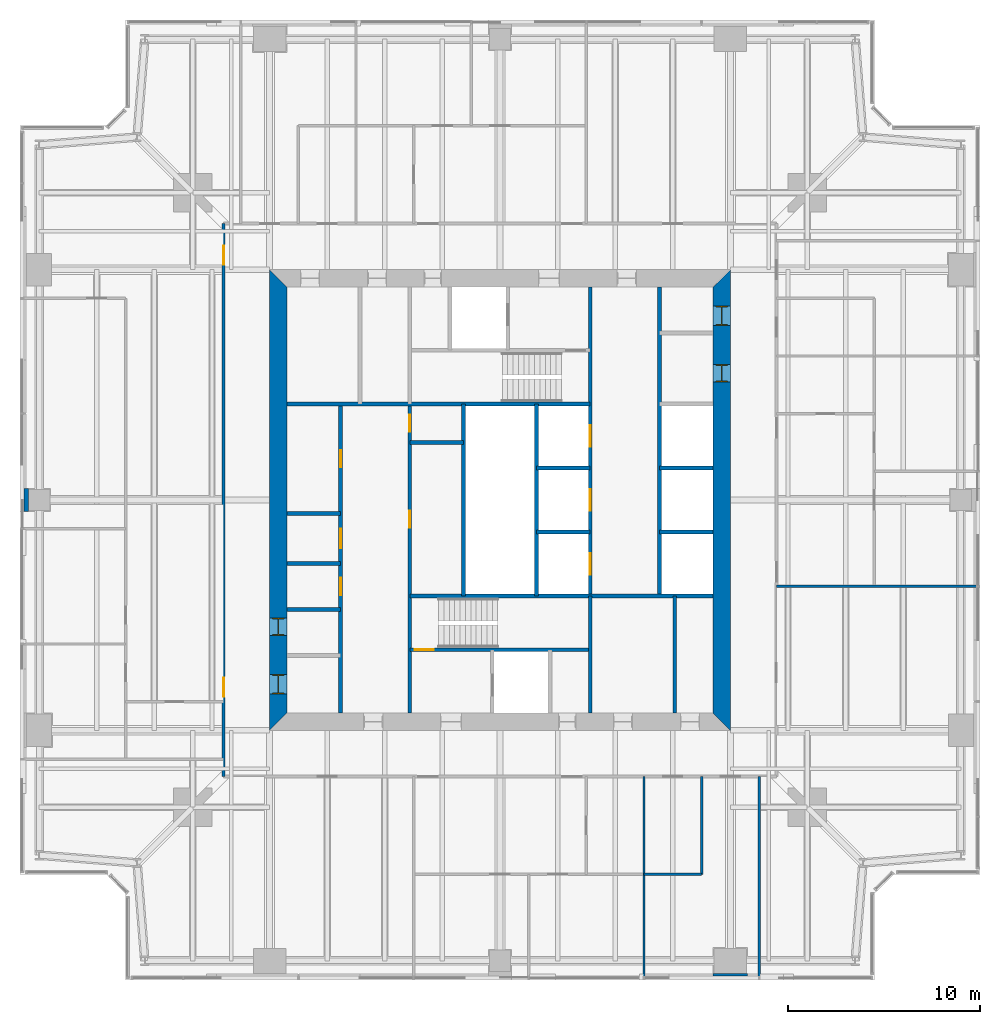
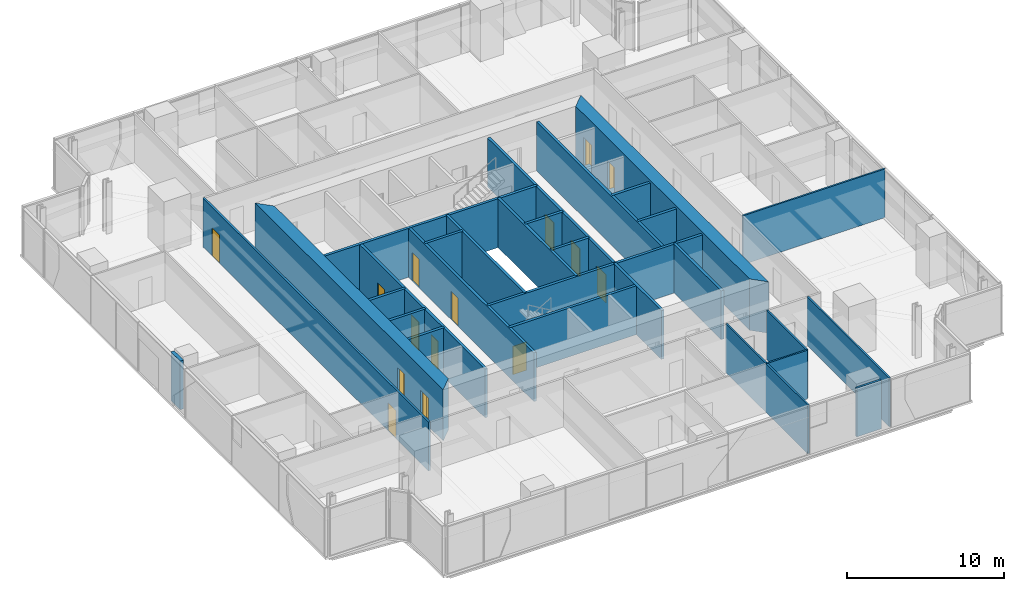
# One storey, part 10 of 15: 29 walls, 15 doors, 15 openings.
"""IFC4 building model written with IfcOpenShell, lengths in metres."""

from ifc_helpers import new_model, si_unit, direction, frame, frame_2d, origin, place, context, subcontext, project, spatial, polyline, rectangle, outline, extrude, material, layer, layer_set, type_object, element, fill, save


model = new_model("IFC4")

# Units and contexts
model_context = context("Model", 3, precision=1e-05, world=origin(), true_north=direction((0.0, 1.0)))
body_context = subcontext(model_context, "Body", "Model", "MODEL_VIEW")
ifc_project = project(units=[si_unit("LENGTHUNIT", "METRE"), si_unit("AREAUNIT", "SQUARE_METRE"), si_unit("VOLUMEUNIT", "CUBIC_METRE"), si_unit("PLANEANGLEUNIT", "RADIAN"), si_unit("MASSUNIT", "GRAM", prefix="KILO")], contexts=[model_context])

# Site, building, storey
site_placement = place(None, origin())
site = spatial("IfcSite", under=ifc_project, at=site_placement, CompositionType="ELEMENT")
building_placement = place(site_placement, origin())
building = spatial("IfcBuilding", under=site, at=building_placement, Name="Fenwick Lantern Interchange", CompositionType="ELEMENT")
storey_placement = place(building_placement, frame((0.0, 0.0, 229.800048828125)))
storey = spatial("IfcBuildingStorey", under=building, at=storey_placement, Name="L54", CompositionType="ELEMENT", Elevation=229.800048828125)

# Walls
ifc_material_1 = material(Name="Fire-rated gypsum board encasement on steel studs, 2 hour", Category="steel")
ifc_layer_1 = layer(ifc_material_1, 1.199951171875)
ifc_layer_set_1 = layer_set([ifc_layer_1], Name="COLUMN PIER 1200")
wall_type_1 = type_object("IfcWallType", Name="COLUMN PIER 1200", PredefinedType="PARTITIONING", material=ifc_layer_set_1)
wall_1_placement = place(storey_placement, frame((0.199951171875, 25.0, 0.0), z_axis=(0.0, 0.0, 1.0), x_axis=(1.0, 0.0, 0.0)))
element("IfcWall", 1, at=wall_1_placement, inside=storey, type_object=wall_type_1, Name="L54/W/PIER/CW3", PredefinedType="PARTITIONING", context=body_context, shape_type="SweptSolid", body=[
    extrude(rectangle(XDim=0.25, YDim=1.199951171875, at=frame_2d((0.125, 0.0))), origin(), (0.0, 0.0, 1.0), 3.800048828125),
])
ifc_layer_2 = layer(ifc_material_1, 1.800048828125)
ifc_layer_set_2 = layer_set([ifc_layer_2], Name="COLUMN PIER 1800")
wall_type_2 = type_object("IfcWallType", Name="COLUMN PIER 1800", PredefinedType="PARTITIONING", material=ifc_layer_set_2)
wall_2_placement = place(storey_placement, frame((37.0, 0.199951171875, 0.0), z_axis=(0.0, 0.0, 1.0), x_axis=(0.0, 1.0, 0.0)))
element("IfcWall", 2, at=wall_2_placement, inside=storey, type_object=wall_type_2, Name="L54/W/PIER/CS4", PredefinedType="PARTITIONING", context=body_context, shape_type="SweptSolid", body=[
    extrude(rectangle(XDim=0.150146484375, YDim=1.800048828125, at=frame_2d((0.0751953125, 0.0))), origin(), (0.0, 0.0, 1.0), 3.800048828125),
])

# Wall, openings, doors
ifc_material_2 = material(Name="Concrete masonry ASTM C90 Grade N", Category="masonry")
ifc_layer_3 = layer(ifc_material_2, 0.199951171875)
ifc_layer_set_3 = layer_set([ifc_layer_3], Name="Concrete masonry ASTM C90 Grade N")
wall_type_3 = type_object("IfcWallType", Name="CORE PARTITION 200", PredefinedType="PARTITIONING", material=ifc_layer_set_3)
wall_3_placement = place(storey_placement, frame((16.699951171875, 13.89990234375, 0.0), z_axis=(0.0, 0.0, 1.0), x_axis=(0.0, 1.0, 0.0)))
wall_3 = element("IfcWall", 3, at=wall_3_placement, inside=storey, type_object=wall_type_3, Name="L54/W/CORES/a", PredefinedType="PARTITIONING", context=body_context, shape_type="SweptSolid", body=[
    extrude(rectangle(XDim=16.10009765625, YDim=0.199951171875, at=frame_2d((8.050048828125, 0.0))), origin(), (0.0, 0.0, 1.0), 3.800048828125),
])
opening_1_placement = place(wall_3_placement, frame((6.14990234375, 0.0, 0.0)))
opening_1 = element("IfcOpeningElement", 4, at=opening_1_placement, cuts=wall_3, Name="Opening L54-D009", PredefinedType="OPENING", context=body_context, shape_type="SweptSolid", body=[
    extrude(rectangle(XDim=0.89990234375, YDim=2.199951171875, at=frame_2d((0.449951171875, 1.10009765625))), frame((0.0, 0.10986328125, 0.0), z_axis=(0.0, -1.0, 0.0), x_axis=(1.0, 0.0, 0.0)), (0.0, 0.0, 1.0), 0.219970703125),
])
opening_2_placement = place(wall_3_placement, frame((8.60009765625, 0.0, 0.0)))
opening_2 = element("IfcOpeningElement", 5, at=opening_2_placement, cuts=wall_3, Name="Opening L54-D010", PredefinedType="OPENING", context=body_context, shape_type="SweptSolid", body=[
    extrude(rectangle(XDim=1.0, YDim=2.199951171875, at=frame_2d((0.5, 1.10009765625))), frame((0.0, 0.10986328125, 0.0), z_axis=(0.0, -1.0, 0.0), x_axis=(1.0, 0.0, 0.0)), (0.0, 0.0, 1.0), 0.219970703125),
])
opening_3_placement = place(wall_3_placement, frame((12.800048828125, 0.0, 0.0)))
opening_3 = element("IfcOpeningElement", 6, at=opening_3_placement, cuts=wall_3, Name="Opening L54-D011", PredefinedType="OPENING", context=body_context, shape_type="SweptSolid", body=[
    extrude(rectangle(XDim=0.89990234375, YDim=2.199951171875, at=frame_2d((0.449951171875, 1.10009765625))), frame((0.0, 0.10986328125, 0.0), z_axis=(0.0, -1.0, 0.0), x_axis=(1.0, 0.0, 0.0)), (0.0, 0.0, 1.0), 0.219970703125),
])
ifc_material_3 = material(Name="Steel door and frame", Category="steel")
door_type_1 = type_object("IfcDoorType", Name="SERVICE DOOR 900 X 2200", OperationType="SINGLE_SWING_LEFT", PredefinedType="DOOR", material=ifc_material_3)
door_1_placement = place(opening_1_placement, origin())
door_1 = element("IfcDoor", 7, at=door_1_placement, inside=storey, type_object=door_type_1, Name="Service door", OperationType="SINGLE_SWING_LEFT", OverallHeight=2.199951171875, OverallWidth=0.89990234375, PredefinedType="DOOR", context=body_context, shape_type="SweptSolid", body=[
    extrude(rectangle(XDim=0.89990234375, YDim=2.199951171875, at=frame_2d((0.449951171875, 1.10009765625))), frame((0.0, 0.02490234375, 0.0), z_axis=(0.0, -1.0, 0.0), x_axis=(1.0, 0.0, 0.0)), (0.0, 0.0, 1.0), 0.050048828125),
])
fill(opening_1, door_1)
door_2_placement = place(opening_3_placement, origin())
door_2 = element("IfcDoor", 8, at=door_2_placement, inside=storey, type_object=door_type_1, Name="Service door", OperationType="SINGLE_SWING_LEFT", OverallHeight=2.199951171875, OverallWidth=0.89990234375, PredefinedType="DOOR", context=body_context, shape_type="SweptSolid", body=[
    extrude(rectangle(XDim=0.89990234375, YDim=2.199951171875, at=frame_2d((0.449951171875, 1.10009765625))), frame((0.0, 0.02490234375, 0.0), z_axis=(0.0, -1.0, 0.0), x_axis=(1.0, 0.0, 0.0)), (0.0, 0.0, 1.0), 0.050048828125),
])
fill(opening_3, door_2)
ifc_material_4 = material(Name="Hardwood door and steel frame", Category="steel")
door_type_2 = type_object("IfcDoorType", Name="WC DOOR 1000 X 2200", OperationType="SINGLE_SWING_LEFT", PredefinedType="DOOR", material=ifc_material_4)
door_3_placement = place(opening_2_placement, origin())
door_3 = element("IfcDoor", 9, at=door_3_placement, inside=storey, type_object=door_type_2, Name="Wc door", OperationType="SINGLE_SWING_LEFT", OverallHeight=2.199951171875, OverallWidth=1.0, PredefinedType="DOOR", context=body_context, shape_type="SweptSolid", body=[
    extrude(rectangle(XDim=1.0, YDim=2.199951171875, at=frame_2d((0.5, 1.10009765625))), frame((0.0, 0.02490234375, 0.0), z_axis=(0.0, -1.0, 0.0), x_axis=(1.0, 0.0, 0.0)), (0.0, 0.0, 1.0), 0.050048828125),
])
fill(opening_2, door_3)

# Walls
wall_4_placement = place(storey_placement, frame((23.10009765625, 20.0, 0.0), z_axis=(0.0, 0.0, 1.0), x_axis=(0.0, 1.0, 0.0)))
element("IfcWall", 10, at=wall_4_placement, inside=storey, type_object=wall_type_3, Name="L54/W/CORES/e3", PredefinedType="PARTITIONING", context=body_context, shape_type="SweptSolid", body=[
    extrude(rectangle(XDim=10.0, YDim=0.199951171875, at=frame_2d((5.0, 0.0))), origin(), (0.0, 0.0, 1.0), 3.800048828125),
])
wall_5_placement = place(storey_placement, frame((34.10009765625, 13.89990234375, 0.0), z_axis=(0.0, 0.0, 1.0), x_axis=(0.0, 1.0, 0.0)))
element("IfcWall", 11, at=wall_5_placement, inside=storey, type_object=wall_type_3, Name="L54/W/CORES/i2", PredefinedType="PARTITIONING", context=body_context, shape_type="SweptSolid", body=[
    extrude(rectangle(XDim=6.10009765625, YDim=0.199951171875, at=frame_2d((3.050048828125, 0.0))), origin(), (0.0, 0.0, 1.0), 3.800048828125),
])
for number, where, z_axis, x_axis, name in (
    (12, (13.89990234375, 19.300048828125, 0.0), (0.0, 0.0, 1.0), (1.0, 0.0, 0.0), "L54/W/CORES/p2"),
    (13, (13.89990234375, 21.699951171875, 0.0), (0.0, 0.0, 1.0), (1.0, 0.0, 0.0), "L54/W/CORES/p3"),
    (14, (13.89990234375, 24.300048828125, 0.0), (0.0, 0.0, 1.0), (1.0, 0.0, 0.0), "L54/W/CORES/p4"),
    (15, (20.300048828125, 28.0, 0.0), (0.0, 0.0, 1.0), (1.0, 0.0, 0.0), "L54/W/CORES/q1"),
):
    element("IfcWall", number, at=place(storey_placement, frame(where, z_axis=z_axis, x_axis=x_axis)), inside=storey, type_object=wall_type_3, Name=name, PredefinedType="PARTITIONING", context=body_context, shape_type="SweptSolid", body=[
        extrude(rectangle(XDim=2.800048828125, YDim=0.199951171875, at=frame_2d((1.39990234375, 0.0))), origin(), (0.0, 0.0, 1.0), 3.800048828125),
    ])
wall_6_placement = place(storey_placement, frame((33.300048828125, 36.10009765625, 0.0), z_axis=(0.0, 0.0, 1.0), x_axis=(0.0, -1.0, 0.0)))
element("IfcWall", 16, at=wall_6_placement, inside=storey, type_object=wall_type_3, Name="L54/W/COREN/a", PredefinedType="PARTITIONING", context=body_context, shape_type="SweptSolid", body=[
    extrude(rectangle(XDim=16.10009765625, YDim=0.199951171875, at=frame_2d((8.050048828125, 0.0))), origin(), (0.0, 0.0, 1.0), 3.800048828125),
])
for number, where, z_axis, x_axis, name in (
    (17, (36.10009765625, 26.666748046875, 0.0), (0.0, 0.0, 1.0), (-1.0, 0.0, 0.0), "L54/W/COREN/d1"),
    (18, (36.10009765625, 23.333251953125, 0.0), (0.0, 0.0, 1.0), (-1.0, 0.0, 0.0), "L54/W/COREN/d2"),
    (19, (29.699951171875, 26.666748046875, 0.0), (0.0, 0.0, 1.0), (-1.0, 0.0, 0.0), "L54/W/COREN/e1"),
    (20, (29.699951171875, 23.333251953125, 0.0), (0.0, 0.0, 1.0), (-1.0, 0.0, 0.0), "L54/W/COREN/e2"),
):
    element("IfcWall", number, at=place(storey_placement, frame(where, z_axis=z_axis, x_axis=x_axis)), inside=storey, type_object=wall_type_3, Name=name, PredefinedType="PARTITIONING", context=body_context, shape_type="SweptSolid", body=[
        extrude(rectangle(XDim=2.800048828125, YDim=0.199951171875, at=frame_2d((1.39990234375, 0.0))), origin(), (0.0, 0.0, 1.0), 3.800048828125),
    ])
wall_7_placement = place(storey_placement, frame((26.89990234375, 30.0, 0.0), z_axis=(0.0, 0.0, 1.0), x_axis=(0.0, -1.0, 0.0)))
element("IfcWall", 21, at=wall_7_placement, inside=storey, type_object=wall_type_3, Name="L54/W/COREN/e3", PredefinedType="PARTITIONING", context=body_context, shape_type="SweptSolid", body=[
    extrude(rectangle(XDim=10.0, YDim=0.199951171875, at=frame_2d((5.0, 0.0))), origin(), (0.0, 0.0, 1.0), 3.800048828125),
])

# Wall, openings, doors
ifc_material_5 = material(Name="Concrete f'c 70 MPa", Category="concrete")
ifc_layer_4 = layer(ifc_material_5, 0.89990234375)
ifc_layer_set_4 = layer_set([ifc_layer_4], Name="CORE WALL 900")
wall_type_4 = type_object("IfcWallType", Name="CORE WALL 900", PredefinedType="SHEAR", material=ifc_layer_set_4)
wall_8_placement = place(storey_placement, frame((36.550048828125, 13.89990234375, 0.0), z_axis=(0.0, 0.0, 1.0), x_axis=(0.0, 1.0, 0.0)))
wall_8 = element("IfcWall", 22, at=wall_8_placement, inside=storey, type_object=wall_type_4, Name="L54/CORE/E", PredefinedType="SHEAR", context=body_context, shape_type="SweptSolid", body=[
    extrude(outline(polyline([(-0.89990234375, -0.449951171875), (23.10009765625, -0.449951171875), (22.199951171875, 0.449951171875), (0.0, 0.449951171875), (-0.89990234375, -0.449951171875)])), origin(), (0.0, 0.0, 1.0), 4.0),
])
opening_4_placement = place(wall_8_placement, frame((20.199951171875, 0.0, 0.0)))
opening_4 = element("IfcOpeningElement", 23, at=opening_4_placement, cuts=wall_8, Name="Opening L54-D020", PredefinedType="OPENING", context=body_context, shape_type="SweptSolid", body=[
    extrude(rectangle(XDim=1.0, YDim=2.199951171875, at=frame_2d((0.5, 1.10009765625))), frame((0.0, 0.4599609375, 0.0), z_axis=(0.0, -1.0, 0.0), x_axis=(1.0, 0.0, 0.0)), (0.0, 0.0, 1.0), 0.919921875),
])
opening_5_placement = place(wall_8_placement, frame((17.25, 0.0, 0.0)))
opening_5 = element("IfcOpeningElement", 24, at=opening_5_placement, cuts=wall_8, Name="Opening L54-D021", PredefinedType="OPENING", context=body_context, shape_type="SweptSolid", body=[
    extrude(rectangle(XDim=0.89990234375, YDim=2.199951171875, at=frame_2d((0.449951171875, 1.10009765625))), frame((0.0, 0.4599609375, 0.0), z_axis=(0.0, -1.0, 0.0), x_axis=(1.0, 0.0, 0.0)), (0.0, 0.0, 1.0), 0.919921875),
])
door_type_3 = type_object("IfcDoorType", Name="SERVICE DOOR 1000 X 2200", OperationType="SINGLE_SWING_LEFT", PredefinedType="DOOR", material=ifc_material_3)
door_4_placement = place(opening_4_placement, origin())
door_4 = element("IfcDoor", 25, at=door_4_placement, inside=storey, type_object=door_type_3, Name="Service door", OperationType="SINGLE_SWING_LEFT", OverallHeight=2.199951171875, OverallWidth=1.0, PredefinedType="DOOR", context=body_context, shape_type="SweptSolid", body=[
    extrude(rectangle(XDim=1.0, YDim=2.199951171875, at=frame_2d((0.5, 1.10009765625))), frame((0.0, 0.02490234375, 0.0), z_axis=(0.0, -1.0, 0.0), x_axis=(1.0, 0.0, 0.0)), (0.0, 0.0, 1.0), 0.050048828125),
    extrude(outline(polyline([(0.0, 0.0), (0.0400390625, 0.0), (0.0400390625, 2.159912109375), (0.9599609375, 2.159912109375), (0.9599609375, 0.0), (1.0, 0.0), (1.0, 2.199951171875), (0.0, 2.199951171875), (0.0, 0.0)])), frame((0.0, 0.300048828125, 0.0), z_axis=(0.0, -1.0, 0.0), x_axis=(1.0, 0.0, 0.0)), (0.0, 0.0, 1.0), 0.60009765625),
])
fill(opening_4, door_4)
door_5_placement = place(opening_5_placement, origin())
door_5 = element("IfcDoor", 26, at=door_5_placement, inside=storey, type_object=door_type_1, Name="Service door", OperationType="SINGLE_SWING_LEFT", OverallHeight=2.199951171875, OverallWidth=0.89990234375, PredefinedType="DOOR", context=body_context, shape_type="SweptSolid", body=[
    extrude(rectangle(XDim=0.89990234375, YDim=2.199951171875, at=frame_2d((0.449951171875, 1.10009765625))), frame((0.0, 0.02490234375, 0.0), z_axis=(0.0, -1.0, 0.0), x_axis=(1.0, 0.0, 0.0)), (0.0, 0.0, 1.0), 0.050048828125),
    extrude(outline(polyline([(0.0, 0.0), (0.0400390625, 0.0), (0.0400390625, 2.159912109375), (0.85986328125, 2.159912109375), (0.85986328125, 0.0), (0.89990234375, 0.0), (0.89990234375, 2.199951171875), (0.0, 2.199951171875), (0.0, 0.0)])), frame((0.0, 0.300048828125, 0.0), z_axis=(0.0, -1.0, 0.0), x_axis=(1.0, 0.0, 0.0)), (0.0, 0.0, 1.0), 0.60009765625),
])
fill(opening_5, door_5)

wall_9_placement = place(storey_placement, frame((13.449951171875, 36.10009765625, 0.0), z_axis=(0.0, 0.0, 1.0), x_axis=(0.0, -1.0, 0.0)))
wall_9 = element("IfcWall", 27, at=wall_9_placement, inside=storey, type_object=wall_type_4, Name="L54/CORE/W", PredefinedType="SHEAR", context=body_context, shape_type="SweptSolid", body=[
    extrude(outline(polyline([(-0.89990234375, -0.449951171875), (23.10009765625, -0.449951171875), (22.199951171875, 0.449951171875), (0.0, 0.449951171875), (-0.89990234375, -0.449951171875)])), origin(), (0.0, 0.0, 1.0), 4.0),
])
opening_6_placement = place(wall_9_placement, frame((20.199951171875, 0.0, 0.0)))
opening_6 = element("IfcOpeningElement", 28, at=opening_6_placement, cuts=wall_9, Name="Opening L54-D007", PredefinedType="OPENING", context=body_context, shape_type="SweptSolid", body=[
    extrude(rectangle(XDim=1.0, YDim=2.199951171875, at=frame_2d((0.5, 1.10009765625))), frame((0.0, 0.4599609375, 0.0), z_axis=(0.0, -1.0, 0.0), x_axis=(1.0, 0.0, 0.0)), (0.0, 0.0, 1.0), 0.919921875),
])
opening_7_placement = place(wall_9_placement, frame((17.25, 0.0, 0.0)))
opening_7 = element("IfcOpeningElement", 29, at=opening_7_placement, cuts=wall_9, Name="Opening L54-D008", PredefinedType="OPENING", context=body_context, shape_type="SweptSolid", body=[
    extrude(rectangle(XDim=0.89990234375, YDim=2.199951171875, at=frame_2d((0.449951171875, 1.10009765625))), frame((0.0, 0.4599609375, 0.0), z_axis=(0.0, -1.0, 0.0), x_axis=(1.0, 0.0, 0.0)), (0.0, 0.0, 1.0), 0.919921875),
])
door_6_placement = place(opening_7_placement, origin())
door_6 = element("IfcDoor", 30, at=door_6_placement, inside=storey, type_object=door_type_1, Name="Service door", OperationType="SINGLE_SWING_LEFT", OverallHeight=2.199951171875, OverallWidth=0.89990234375, PredefinedType="DOOR", context=body_context, shape_type="SweptSolid", body=[
    extrude(rectangle(XDim=0.89990234375, YDim=2.199951171875, at=frame_2d((0.449951171875, 1.10009765625))), frame((0.0, 0.02490234375, 0.0), z_axis=(0.0, -1.0, 0.0), x_axis=(1.0, 0.0, 0.0)), (0.0, 0.0, 1.0), 0.050048828125),
    extrude(outline(polyline([(0.0, 0.0), (0.0400390625, 0.0), (0.0400390625, 2.159912109375), (0.85986328125, 2.159912109375), (0.85986328125, 0.0), (0.89990234375, 0.0), (0.89990234375, 2.199951171875), (0.0, 2.199951171875), (0.0, 0.0)])), frame((0.0, 0.300048828125, 0.0), z_axis=(0.0, -1.0, 0.0), x_axis=(1.0, 0.0, 0.0)), (0.0, 0.0, 1.0), 0.60009765625),
])
fill(opening_7, door_6)
door_7_placement = place(opening_6_placement, origin())
door_7 = element("IfcDoor", 31, at=door_7_placement, inside=storey, type_object=door_type_2, Name="Wc door", OperationType="SINGLE_SWING_LEFT", OverallHeight=2.199951171875, OverallWidth=1.0, PredefinedType="DOOR", context=body_context, shape_type="SweptSolid", body=[
    extrude(rectangle(XDim=1.0, YDim=2.199951171875, at=frame_2d((0.5, 1.10009765625))), frame((0.0, 0.02490234375, 0.0), z_axis=(0.0, -1.0, 0.0), x_axis=(1.0, 0.0, 0.0)), (0.0, 0.0, 1.0), 0.050048828125),
    extrude(outline(polyline([(0.0, 0.0), (0.0400390625, 0.0), (0.0400390625, 2.159912109375), (0.9599609375, 2.159912109375), (0.9599609375, 0.0), (1.0, 0.0), (1.0, 2.199951171875), (0.0, 2.199951171875), (0.0, 0.0)])), frame((0.0, 0.300048828125, 0.0), z_axis=(0.0, -1.0, 0.0), x_axis=(1.0, 0.0, 0.0)), (0.0, 0.0, 1.0), 0.60009765625),
])
fill(opening_6, door_7)

ifc_material_6 = material(Name="Gypsum board on steel studs, 1 hour", Category="steel")
ifc_layer_5 = layer(ifc_material_6, 0.14990234375)
ifc_layer_set_5 = layer_set([ifc_layer_5], Name="CORRIDOR WALL 150")
wall_type_5 = type_object("IfcWallType", Name="CORRIDOR WALL 150", PredefinedType="PARTITIONING", material=ifc_layer_set_5)
wall_10_placement = place(storey_placement, frame((10.60009765625, 39.39990234375, 0.0), z_axis=(0.0, 0.0, 1.0), x_axis=(0.0, -1.0, 0.0)))
wall_10 = element("IfcWall", 32, at=wall_10_placement, inside=storey, type_object=wall_type_5, Name="L54/W/OFF/W/CW2", PredefinedType="PARTITIONING", context=body_context, shape_type="SweptSolid", body=[
    extrude(rectangle(XDim=28.7998046875, YDim=0.14990234375, at=frame_2d((14.39990234375, 0.0))), origin(), (0.0, 0.0, 1.0), 3.800048828125),
])
opening_8_placement = place(wall_10_placement, frame((1.14990234375, 0.0, 0.0)))
opening_8 = element("IfcOpeningElement", 33, at=opening_8_placement, cuts=wall_10, Name="Opening L54-D046", PredefinedType="OPENING", context=body_context, shape_type="SweptSolid", body=[
    extrude(rectangle(XDim=1.0, YDim=2.199951171875, at=frame_2d((0.5, 1.10009765625))), frame((0.0, 0.0849609375, 0.0), z_axis=(0.0, -1.0, 0.0), x_axis=(1.0, 0.0, 0.0)), (0.0, 0.0, 1.0), 0.169921875),
])
opening_9_placement = place(wall_10_placement, frame((23.64990234375, 0.0, 0.0)))
opening_9 = element("IfcOpeningElement", 34, at=opening_9_placement, cuts=wall_10, Name="Opening L54-D047", PredefinedType="OPENING", context=body_context, shape_type="SweptSolid", body=[
    extrude(rectangle(XDim=1.0, YDim=2.199951171875, at=frame_2d((0.5, 1.10009765625))), frame((0.0, 0.0849609375, 0.0), z_axis=(0.0, -1.0, 0.0), x_axis=(1.0, 0.0, 0.0)), (0.0, 0.0, 1.0), 0.169921875),
])
door_type_4 = type_object("IfcDoorType", Name="SUITE ENTRANCE DOOR 1000 X 2200", OperationType="SINGLE_SWING_LEFT", PredefinedType="DOOR", material=ifc_material_3)
door_8_placement = place(opening_8_placement, origin())
door_8 = element("IfcDoor", 35, at=door_8_placement, inside=storey, type_object=door_type_4, Name="Suite entrance door", OperationType="SINGLE_SWING_LEFT", OverallHeight=2.199951171875, OverallWidth=1.0, PredefinedType="DOOR", context=body_context, shape_type="SweptSolid", body=[
    extrude(rectangle(XDim=1.0, YDim=2.199951171875, at=frame_2d((0.5, 1.10009765625))), frame((0.0, 0.02490234375, 0.0), z_axis=(0.0, -1.0, 0.0), x_axis=(1.0, 0.0, 0.0)), (0.0, 0.0, 1.0), 0.050048828125),
])
fill(opening_8, door_8)
door_9_placement = place(opening_9_placement, origin())
door_9 = element("IfcDoor", 36, at=door_9_placement, inside=storey, type_object=door_type_4, Name="Suite entrance door", OperationType="SINGLE_SWING_RIGHT", OverallHeight=2.199951171875, OverallWidth=1.0, PredefinedType="DOOR", context=body_context, shape_type="SweptSolid", body=[
    extrude(rectangle(XDim=1.0, YDim=2.199951171875, at=frame_2d((0.5, 1.10009765625))), frame((0.0, 0.02490234375, 0.0), z_axis=(0.0, -1.0, 0.0), x_axis=(1.0, 0.0, 0.0)), (0.0, 0.0, 1.0), 0.050048828125),
])
fill(opening_9, door_9)

# Walls
ifc_material_7 = material(Name="Gypsum board on steel studs, acoustic", Category="steel")
ifc_layer_6 = layer(ifc_material_7, 0.125)
ifc_layer_set_6 = layer_set([ifc_layer_6], Name="OFFICE PARTITION 125")
wall_type_6 = type_object("IfcWallType", Name="OFFICE PARTITION 125", PredefinedType="PARTITIONING", material=ifc_layer_set_6)
wall_11_placement = place(storey_placement, frame((32.5, 0.14990234375, 0.0), z_axis=(0.0, 0.0, 1.0), x_axis=(0.0, 1.0, 0.0)))
element("IfcWall", 37, at=wall_11_placement, inside=storey, type_object=wall_type_6, Name="L54/W/OFF/S/X325-1", PredefinedType="PARTITIONING", context=body_context, shape_type="SweptSolid", body=[
    extrude(rectangle(XDim=10.4501953125, YDim=0.125, at=frame_2d((5.22509765625, 0.0))), origin(), (0.0, 0.0, 1.0), 3.800048828125),
])
wall_12_placement = place(storey_placement, frame((35.5, 5.5, 0.0), z_axis=(0.0, 0.0, 1.0), x_axis=(0.0, 1.0, 0.0)))
element("IfcWall", 38, at=wall_12_placement, inside=storey, type_object=wall_type_6, Name="L54/W/OFF/S/X355-1", PredefinedType="PARTITIONING", context=body_context, shape_type="SweptSolid", body=[
    extrude(rectangle(XDim=5.10009765625, YDim=0.125, at=frame_2d((2.550048828125, 0.0))), origin(), (0.0, 0.0, 1.0), 3.800048828125),
])
wall_13_placement = place(storey_placement, frame((32.5, 5.5, 0.0), z_axis=(0.0, 0.0, 1.0), x_axis=(1.0, 0.0, 0.0)))
element("IfcWall", 39, at=wall_13_placement, inside=storey, type_object=wall_type_6, Name="L54/W/OFF/S/Y55-2", PredefinedType="PARTITIONING", context=body_context, shape_type="SweptSolid", body=[
    extrude(rectangle(XDim=3.0, YDim=0.125, at=frame_2d((1.5, 0.0))), origin(), (0.0, 0.0, 1.0), 3.800048828125),
])
for number, where, z_axis, x_axis, name in (
    (40, (38.5, 0.14990234375, 0.0), (0.0, 0.0, 1.0), (0.0, 1.0, 0.0), "L54/W/OFF/E/BACK"),
    (41, (49.85009765625, 20.5, 0.0), (0.0, 0.0, 1.0), (-1.0, 0.0, 0.0), "L54/W/OFF/E/X205-1"),
):
    element("IfcWall", number, at=place(storey_placement, frame(where, z_axis=z_axis, x_axis=x_axis)), inside=storey, type_object=wall_type_6, Name=name, PredefinedType="PARTITIONING", context=body_context, shape_type="SweptSolid", body=[
        extrude(rectangle(XDim=10.4501953125, YDim=0.125, at=frame_2d((5.22509765625, 0.0))), origin(), (0.0, 0.0, 1.0), 3.800048828125),
    ])

# Wall, openings, doors
ifc_material_8 = material(Name="Concrete f'c 45 MPa", Category="concrete")
ifc_layer_7 = layer(ifc_material_8, 0.199951171875)
ifc_layer_set_7 = layer_set([ifc_layer_7], Name="STAIR CORE WALL 200")
wall_type_7 = type_object("IfcWallType", Name="STAIR CORE WALL 200", PredefinedType="SOLIDWALL", material=ifc_layer_set_7)
wall_14_placement = place(storey_placement, frame((20.300048828125, 13.89990234375, 0.0), z_axis=(0.0, 0.0, 1.0), x_axis=(0.0, 1.0, 0.0)))
wall_14 = element("IfcWall", 42, at=wall_14_placement, inside=storey, type_object=wall_type_7, Name="L54/W/CORES/b", PredefinedType="SOLIDWALL", context=body_context, shape_type="SweptSolid", body=[
    extrude(rectangle(XDim=16.10009765625, YDim=0.199951171875, at=frame_2d((8.050048828125, 0.0))), origin(), (0.0, 0.0, 1.0), 3.800048828125),
])
opening_10_placement = place(wall_14_placement, frame((9.64990234375, 0.0, 0.0)))
opening_10 = element("IfcOpeningElement", 43, at=opening_10_placement, cuts=wall_14, Name="Opening L54-D012", PredefinedType="OPENING", context=body_context, shape_type="SweptSolid", body=[
    extrude(rectangle(XDim=0.89990234375, YDim=2.199951171875, at=frame_2d((0.449951171875, 1.10009765625))), frame((0.0, 0.10986328125, 0.0), z_axis=(0.0, -1.0, 0.0), x_axis=(1.0, 0.0, 0.0)), (0.0, 0.0, 1.0), 0.219970703125),
])
opening_11_placement = place(wall_14_placement, frame((14.64990234375, 0.0, 0.0)))
opening_11 = element("IfcOpeningElement", 44, at=opening_11_placement, cuts=wall_14, Name="Opening L54-D013", PredefinedType="OPENING", context=body_context, shape_type="SweptSolid", body=[
    extrude(rectangle(XDim=0.89990234375, YDim=2.199951171875, at=frame_2d((0.449951171875, 1.10009765625))), frame((0.0, 0.10986328125, 0.0), z_axis=(0.0, -1.0, 0.0), x_axis=(1.0, 0.0, 0.0)), (0.0, 0.0, 1.0), 0.219970703125),
])
door_10_placement = place(opening_10_placement, frame((0.89990234375, 0.0, 0.0), z_axis=(0.0, 0.0, 1.0), x_axis=(-1.0, 0.0, 0.0)))
door_10 = element("IfcDoor", 45, at=door_10_placement, inside=storey, type_object=door_type_1, Name="Service door", OperationType="SINGLE_SWING_RIGHT", OverallHeight=2.199951171875, OverallWidth=0.89990234375, PredefinedType="DOOR", context=body_context, shape_type="SweptSolid", body=[
    extrude(rectangle(XDim=0.89990234375, YDim=2.199951171875, at=frame_2d((0.449951171875, 1.10009765625))), frame((0.0, 0.02490234375, 0.0), z_axis=(0.0, -1.0, 0.0), x_axis=(1.0, 0.0, 0.0)), (0.0, 0.0, 1.0), 0.050048828125),
])
fill(opening_10, door_10)
door_11_placement = place(opening_11_placement, frame((0.89990234375, 0.0, 0.0), z_axis=(0.0, 0.0, 1.0), x_axis=(-1.0, 0.0, 0.0)))
door_11 = element("IfcDoor", 46, at=door_11_placement, inside=storey, type_object=door_type_1, Name="Service door", OperationType="SINGLE_SWING_RIGHT", OverallHeight=2.199951171875, OverallWidth=0.89990234375, PredefinedType="DOOR", context=body_context, shape_type="SweptSolid", body=[
    extrude(rectangle(XDim=0.89990234375, YDim=2.199951171875, at=frame_2d((0.449951171875, 1.10009765625))), frame((0.0, 0.02490234375, 0.0), z_axis=(0.0, -1.0, 0.0), x_axis=(1.0, 0.0, 0.0)), (0.0, 0.0, 1.0), 0.050048828125),
])
fill(opening_11, door_11)

# Wall, opening, door
wall_15_placement = place(storey_placement, frame((20.300048828125, 17.199951171875, 0.0), z_axis=(0.0, 0.0, 1.0), x_axis=(1.0, 0.0, 0.0)))
wall_15 = element("IfcWall", 47, at=wall_15_placement, inside=storey, type_object=wall_type_7, Name="L54/W/CORES/g1", PredefinedType="SOLIDWALL", context=body_context, shape_type="SweptSolid", body=[
    extrude(rectangle(XDim=9.39990234375, YDim=0.199951171875, at=frame_2d((4.699951171875, 0.0))), origin(), (0.0, 0.0, 1.0), 3.800048828125),
])
opening_12_placement = place(wall_15_placement, frame((0.25, 0.0, 0.0)))
opening_12 = element("IfcOpeningElement", 48, at=opening_12_placement, cuts=wall_15, Name="Opening L54-D003", PredefinedType="OPENING", context=body_context, shape_type="SweptSolid", body=[
    extrude(rectangle(XDim=1.0, YDim=2.199951171875, at=frame_2d((0.5, 1.10009765625))), frame((0.0, 0.10986328125, 0.0), z_axis=(0.0, -1.0, 0.0), x_axis=(1.0, 0.0, 0.0)), (0.0, 0.0, 1.0), 0.219970703125),
])
door_type_5 = type_object("IfcDoorType", Name="STAIR DOOR 1000 X 2200", OperationType="SINGLE_SWING_LEFT", PredefinedType="DOOR", material=ifc_material_3)
door_12_placement = place(opening_12_placement, origin())
door_12 = element("IfcDoor", 49, at=door_12_placement, inside=storey, type_object=door_type_5, Name="Stair door", OperationType="SINGLE_SWING_LEFT", OverallHeight=2.199951171875, OverallWidth=1.0, PredefinedType="DOOR", context=body_context, shape_type="SweptSolid", body=[
    extrude(rectangle(XDim=1.0, YDim=2.199951171875, at=frame_2d((0.5, 1.10009765625))), frame((0.0, 0.02490234375, 0.0), z_axis=(0.0, -1.0, 0.0), x_axis=(1.0, 0.0, 0.0)), (0.0, 0.0, 1.0), 0.050048828125),
])
fill(opening_12, door_12)

# Walls
wall_16_placement = place(storey_placement, frame((20.300048828125, 20.0, 0.0), z_axis=(0.0, 0.0, 1.0), x_axis=(1.0, 0.0, 0.0)))
element("IfcWall", 50, at=wall_16_placement, inside=storey, type_object=wall_type_7, Name="L54/W/CORES/g2", PredefinedType="SOLIDWALL", context=body_context, shape_type="SweptSolid", body=[
    extrude(rectangle(XDim=15.800048828125, YDim=0.199951171875, at=frame_2d((7.89990234375, 0.0))), origin(), (0.0, 0.0, 1.0), 3.800048828125),
])
wall_17_placement = place(storey_placement, frame((29.699951171875, 13.89990234375, 0.0), z_axis=(0.0, 0.0, 1.0), x_axis=(0.0, 1.0, 0.0)))
element("IfcWall", 51, at=wall_17_placement, inside=storey, type_object=wall_type_7, Name="L54/W/CORES/i1", PredefinedType="SOLIDWALL", context=body_context, shape_type="SweptSolid", body=[
    extrude(rectangle(XDim=6.10009765625, YDim=0.199951171875, at=frame_2d((3.050048828125, 0.0))), origin(), (0.0, 0.0, 1.0), 3.800048828125),
])

# Wall, openings, doors
wall_18_placement = place(storey_placement, frame((29.699951171875, 36.10009765625, 0.0), z_axis=(0.0, 0.0, 1.0), x_axis=(0.0, -1.0, 0.0)))
wall_18 = element("IfcWall", 52, at=wall_18_placement, inside=storey, type_object=wall_type_7, Name="L54/W/COREN/b", PredefinedType="SOLIDWALL", context=body_context, shape_type="SweptSolid", body=[
    extrude(rectangle(XDim=16.10009765625, YDim=0.199951171875, at=frame_2d((8.050048828125, 0.0))), origin(), (0.0, 0.0, 1.0), 3.800048828125),
])
opening_13_placement = place(wall_18_placement, frame((7.216552734375, 0.0, 0.0)))
opening_13 = element("IfcOpeningElement", 53, at=opening_13_placement, cuts=wall_18, Name="Opening LD-E2-1", PredefinedType="OPENING", context=body_context, shape_type="SweptSolid", body=[
    extrude(rectangle(XDim=1.10009765625, YDim=2.199951171875, at=frame_2d((0.550048828125, 1.10009765625))), frame((0.0, 0.10986328125, 0.0), z_axis=(0.0, -1.0, 0.0), x_axis=(1.0, 0.0, 0.0)), (0.0, 0.0, 1.0), 0.219970703125),
])
opening_14_placement = place(wall_18_placement, frame((10.550048828125, 0.0, 0.0)))
opening_14 = element("IfcOpeningElement", 54, at=opening_14_placement, cuts=wall_18, Name="Opening LD-E2-2", PredefinedType="OPENING", context=body_context, shape_type="SweptSolid", body=[
    extrude(rectangle(XDim=1.10009765625, YDim=2.199951171875, at=frame_2d((0.550048828125, 1.10009765625))), frame((0.0, 0.10986328125, 0.0), z_axis=(0.0, -1.0, 0.0), x_axis=(1.0, 0.0, 0.0)), (0.0, 0.0, 1.0), 0.219970703125),
])
opening_15_placement = place(wall_18_placement, frame((13.88330078125, 0.0, 0.0)))
opening_15 = element("IfcOpeningElement", 55, at=opening_15_placement, cuts=wall_18, Name="Opening LD-E2-3", PredefinedType="OPENING", context=body_context, shape_type="SweptSolid", body=[
    extrude(rectangle(XDim=1.10009765625, YDim=2.199951171875, at=frame_2d((0.550048828125, 1.10009765625))), frame((0.0, 0.10986328125, 0.0), z_axis=(0.0, -1.0, 0.0), x_axis=(1.0, 0.0, 0.0)), (0.0, 0.0, 1.0), 0.219970703125),
])
door_type_6 = type_object("IfcDoorType", Name="LIFT LANDING DOOR 1100 X 2200", OperationType="DOUBLE_DOOR_SLIDING", PredefinedType="DOOR", material=ifc_material_3)
door_13_placement = place(opening_13_placement, origin())
door_13 = element("IfcDoor", 56, at=door_13_placement, inside=storey, type_object=door_type_6, Name="Lift landing door E2-1", OperationType="DOUBLE_DOOR_SLIDING", OverallHeight=2.199951171875, OverallWidth=1.10009765625, PredefinedType="DOOR", context=body_context, shape_type="SweptSolid", body=[
    extrude(rectangle(XDim=1.10009765625, YDim=2.199951171875, at=frame_2d((0.550048828125, 1.10009765625))), frame((0.0, 0.02490234375, 0.0), z_axis=(0.0, -1.0, 0.0), x_axis=(1.0, 0.0, 0.0)), (0.0, 0.0, 1.0), 0.050048828125),
])
fill(opening_13, door_13)
door_14_placement = place(opening_14_placement, origin())
door_14 = element("IfcDoor", 57, at=door_14_placement, inside=storey, type_object=door_type_6, Name="Lift landing door E2-2", OperationType="DOUBLE_DOOR_SLIDING", OverallHeight=2.199951171875, OverallWidth=1.10009765625, PredefinedType="DOOR", context=body_context, shape_type="SweptSolid", body=[
    extrude(rectangle(XDim=1.10009765625, YDim=2.199951171875, at=frame_2d((0.550048828125, 1.10009765625))), frame((0.0, 0.02490234375, 0.0), z_axis=(0.0, -1.0, 0.0), x_axis=(1.0, 0.0, 0.0)), (0.0, 0.0, 1.0), 0.050048828125),
])
fill(opening_14, door_14)
door_15_placement = place(opening_15_placement, origin())
door_15 = element("IfcDoor", 58, at=door_15_placement, inside=storey, type_object=door_type_6, Name="Lift landing door E2-3", OperationType="DOUBLE_DOOR_SLIDING", OverallHeight=2.199951171875, OverallWidth=1.10009765625, PredefinedType="DOOR", context=body_context, shape_type="SweptSolid", body=[
    extrude(rectangle(XDim=1.10009765625, YDim=2.199951171875, at=frame_2d((0.550048828125, 1.10009765625))), frame((0.0, 0.02490234375, 0.0), z_axis=(0.0, -1.0, 0.0), x_axis=(1.0, 0.0, 0.0)), (0.0, 0.0, 1.0), 0.050048828125),
])
fill(opening_15, door_15)

# Wall
wall_19_placement = place(storey_placement, frame((29.699951171875, 30.0, 0.0), z_axis=(0.0, 0.0, 1.0), x_axis=(-1.0, 0.0, 0.0)))
element("IfcWall", 59, at=wall_19_placement, inside=storey, type_object=wall_type_7, Name="L54/W/COREN/g2", PredefinedType="SOLIDWALL", context=body_context, shape_type="SweptSolid", body=[
    extrude(rectangle(XDim=15.800048828125, YDim=0.199951171875, at=frame_2d((7.89990234375, 0.0))), origin(), (0.0, 0.0, 1.0), 3.800048828125),
])

save(model, "model.ifc")
